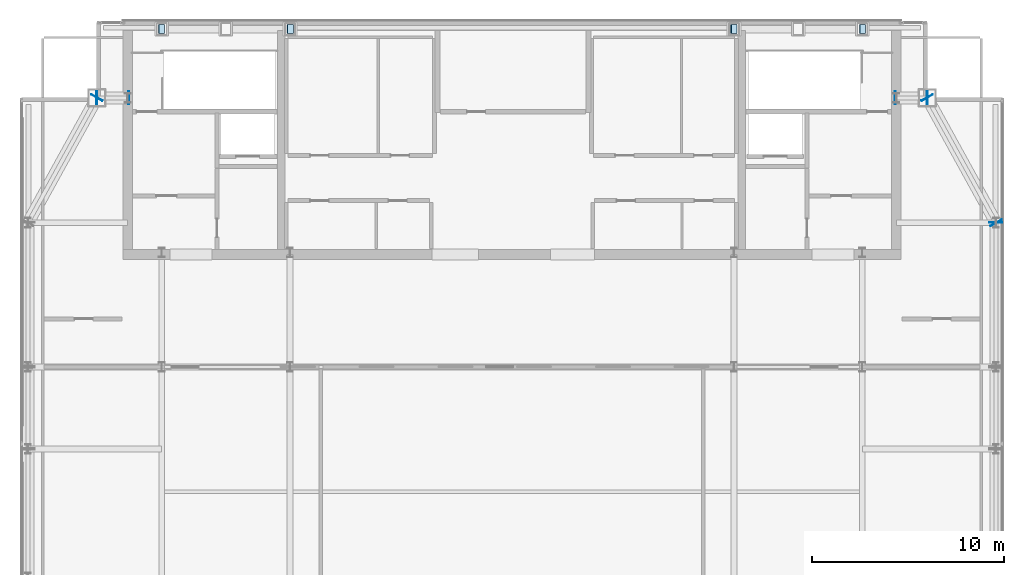
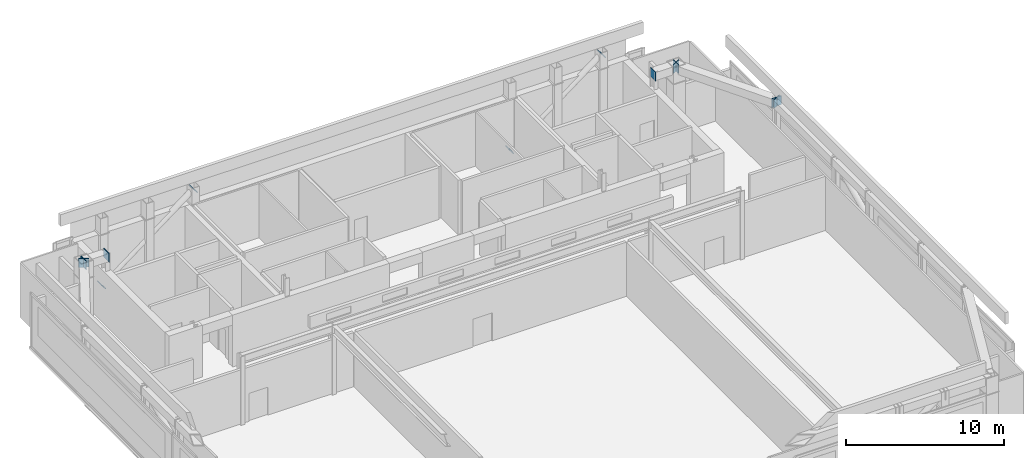
# One storey, part 20 of 24: 12 plates.
"""IFC4 building model written with IfcOpenShell, lengths in metres."""

import ifcopenshell
import ifcopenshell.guid

model = None  # the IFC model being written
_history = None  # IfcOwnerHistory: only IFC2X3 demands one
_inside = {}  # id of a spatial element -> (the spatial element, [elements in it])
_under = {}  # id of a project, library or spatial element -> (it, [spatial elements below it])
_declared = {}  # id of a project -> (the project, [libraries it declares])
_typed = {}  # id of a type object -> (the type object, [elements of that type])
_made_of = {}  # id of a material, layer set ... -> (it, [elements and type objects made of it])


def new_model(schema):
    """Start an empty IFC model of exactly this schema.

    Asked for "IFC4X3", IfcOpenShell would pick the latest addendum, in which some entities
    have other attributes; the version numbers below select the first issue.
    IFC2X3 requires an IfcOwnerHistory on every rooted entity: one is made here for all.
    """
    global model, _history
    if schema == "IFC4X3":
        model = ifcopenshell.file(schema_version=(4, 3, 0, 0))
    else:
        model = ifcopenshell.file(schema=schema)
    _inside.clear()
    _under.clear()
    _declared.clear()
    _typed.clear()
    _made_of.clear()
    _history = None
    if model.schema == "IFC2X3":
        org = make("IfcOrganization", Name="unknown")
        user = make(
            "IfcPersonAndOrganization",
            ThePerson=make("IfcPerson", FamilyName="unknown"),
            TheOrganization=org,
        )
        app = make(
            "IfcApplication",
            ApplicationDeveloper=org,
            Version="unknown",
            ApplicationFullName="unknown",
            ApplicationIdentifier="unknown",
        )
        _history = make(
            "IfcOwnerHistory",
            OwningUser=user,
            OwningApplication=app,
            ChangeAction="ADDED",
            CreationDate=0,
        )
    return model


def make(cls, **values):
    """One entity of the class cls with the attributes given. An attribute that is None is left unset."""
    return model.create_entity(
        cls, **{name: value for name, value in values.items() if value is not None}
    )


def rooted(cls, **values):
    """An entity with a GlobalId (a new one), such as an element, a storey or a relation."""
    return make(cls, GlobalId=ifcopenshell.guid.new(), OwnerHistory=_history, **values)


def si_unit(unit_type, name, prefix=None):
    """IfcSIUnit, for example si_unit("LENGTHUNIT", "METRE", prefix="MILLI")."""
    return make("IfcSIUnit", UnitType=unit_type, Prefix=prefix, Name=name)


def assignment(units):
    """IfcUnitAssignment: the units of a project."""
    return None if units is None else make("IfcUnitAssignment", Units=units)


def point(xyz):
    """IfcCartesianPoint."""
    return None if xyz is None else make("IfcCartesianPoint", Coordinates=xyz)


def direction(xyz):
    """IfcDirection."""
    return None if xyz is None else make("IfcDirection", DirectionRatios=xyz)


def frame(location, z_axis=None, x_axis=None):
    """IfcAxis2Placement3D, a coordinate frame: its origin and axes. An axis left out is left unset."""
    return make(
        "IfcAxis2Placement3D",
        Location=point(location),
        Axis=direction(z_axis),
        RefDirection=direction(x_axis),
    )


def frame_2d(location, x_axis=None):
    """IfcAxis2Placement2D, a coordinate frame in the plane: its origin and x axis."""
    return make(
        "IfcAxis2Placement2D", Location=point(location), RefDirection=direction(x_axis)
    )


def origin():
    """The frame at (0, 0, 0) with its axes left unset."""
    return frame((0.0, 0.0, 0.0))


def origin_2d():
    """The frame at (0, 0) in the plane with its x axis left unset."""
    return frame_2d((0.0, 0.0))


def place(relative_to, where):
    """IfcLocalPlacement: puts the frame where relative to a parent placement (None: the world)."""
    return make(
        "IfcLocalPlacement", PlacementRelTo=relative_to, RelativePlacement=where
    )


def context(
    kind, dimensions, precision=None, world=None, true_north=None, identifier=None
):
    """IfcGeometricRepresentationContext, for example the 3D "Model" context."""
    return make(
        "IfcGeometricRepresentationContext",
        ContextIdentifier=identifier,
        ContextType=kind,
        CoordinateSpaceDimension=dimensions,
        Precision=precision,
        WorldCoordinateSystem=world,
        TrueNorth=true_north,
    )


def subcontext(parent, identifier, kind, view, scale=None):
    """IfcGeometricRepresentationSubContext, for example "Body" below "Model"."""
    return make(
        "IfcGeometricRepresentationSubContext",
        ContextIdentifier=identifier,
        ContextType=kind,
        ParentContext=parent,
        TargetScale=scale,
        TargetView=view,
    )


def project(units=None, contexts=None):
    """IfcProject with its units and contexts."""
    return rooted(
        "IfcProject",
        Name="project",
        RepresentationContexts=contexts,
        UnitsInContext=assignment(units),
    )


def spatial(cls, under=None, at=None, **own):
    """A site, building, storey or space (cls), placed at a placement, below another one or the project."""
    s = rooted(cls, ObjectPlacement=at, **own)
    if under is not None:
        _under.setdefault(under.id(), (under, []))[1].append(s)
    return s


def polyline(points):
    """IfcPolyline through the points."""
    return make("IfcPolyline", Points=[point(p) for p in points])


def profile(cls, at=None, kind="AREA", **sizes):
    """A parametric profile (cls). Its sizes go by their IFC names, for example OverallWidth=200.0."""
    return make(cls, ProfileType=kind, Position=at, **sizes)


def rectangle(**sizes):
    """IfcRectangleProfileDef."""
    return profile("IfcRectangleProfileDef", **sizes)


def outline(outer, holes=None, kind="AREA"):
    """IfcArbitraryClosedProfileDef: a profile drawn as a closed curve; with holes, ...WithVoids."""
    if holes is None:
        return make("IfcArbitraryClosedProfileDef", ProfileType=kind, OuterCurve=outer)
    return make(
        "IfcArbitraryProfileDefWithVoids",
        ProfileType=kind,
        OuterCurve=outer,
        InnerCurves=holes,
    )


def extrude(swept, where, along, depth):
    """IfcExtrudedAreaSolid: the profile swept, set in the frame where, extruded along a direction by depth."""
    return make(
        "IfcExtrudedAreaSolid",
        SweptArea=swept,
        Position=where,
        ExtrudedDirection=direction(along),
        Depth=depth,
    )


def shape(context_of_items, identifier, shape_type, items):
    """IfcShapeRepresentation: the items that make up one representation, for example the "Body"."""
    return make(
        "IfcShapeRepresentation",
        ContextOfItems=context_of_items,
        RepresentationIdentifier=identifier,
        RepresentationType=shape_type,
        Items=items,
    )


def material(Name=None, Category=None):
    """IfcMaterial."""
    return make("IfcMaterial", Name=Name, Category=Category)


def layer(
    of_material, thickness, ventilated=None, Name=None, Category=None, Priority=None
):
    """IfcMaterialLayer: one layer of a wall or slab, of a material (None: an air gap)."""
    return make(
        "IfcMaterialLayer",
        Material=of_material,
        LayerThickness=thickness,
        IsVentilated=ventilated,
        Name=Name,
        Category=Category,
        Priority=Priority,
    )


def layer_set(layers, Name=None):
    """IfcMaterialLayerSet."""
    return make("IfcMaterialLayerSet", MaterialLayers=layers, LayerSetName=Name)


def made_of(thing, what):
    """Note that an element or type object is made of a material, layer set ...; save() writes the relation."""
    if what is not None:
        _made_of.setdefault(what.id(), (what, []))[1].append(thing)
    return thing


def type_object(cls, material=None, **own):
    """A type object (cls), such as IfcWallType, which elements share."""
    return made_of(rooted(cls, **own), material)


def element(
    cls,
    number,
    at=None,
    inside=None,
    cuts=None,
    type_object=None,
    material=None,
    context=None,
    identifier="Body",
    shape_type=None,
    held_by="IfcProductDefinitionShape",
    body=None,
    shapes=None,
    **own,
):
    """One element of the class cls, such as IfcWall. Its Tag is "e" and its number.

    at: its placement. inside: the storey or other place that contains it. cuts: it is an
    opening in that element (IfcRelVoidsElement). A single representation is given by context,
    identifier, shape_type and body (its items); several are given by shapes. held_by: the class
    of the entity that holds the representations. save() writes the other relations.
    """
    e = rooted(cls, Tag="e%d" % number, ObjectPlacement=at, **own)
    if body is not None:
        shapes = [shape(context, identifier, shape_type, body)]
    if shapes is not None:
        e.Representation = make(held_by, Representations=shapes)
    if inside is not None:
        _inside.setdefault(inside.id(), (inside, []))[1].append(e)
    if cuts is not None:
        rooted(
            "IfcRelVoidsElement", RelatingBuildingElement=cuts, RelatedOpeningElement=e
        )
    if type_object is not None:
        _typed.setdefault(type_object.id(), (type_object, []))[1].append(e)
    return made_of(e, material)


def aggregate(whole, parts):
    """IfcRelAggregates: a whole, such as a stair, and the parts it consists of."""
    return rooted("IfcRelAggregates", RelatingObject=whole, RelatedObjects=parts)


def save(model, path):
    """Write the relations noted so far, then the file.

    IfcRelAggregates (storeys below a building ...), IfcRelContainedInSpatialStructure (elements
    in a storey), IfcRelDefinesByType, IfcRelAssociatesMaterial and IfcRelDeclares: one each for
    every whole, place, type object, material and project.
    """
    for whole, parts in _under.values():
        aggregate(whole, parts)
    for where, things in _inside.values():
        rooted(
            "IfcRelContainedInSpatialStructure",
            RelatedElements=things,
            RelatingStructure=where,
        )
    for kind, things in _typed.values():
        rooted("IfcRelDefinesByType", RelatedObjects=things, RelatingType=kind)
    for what, things in _made_of.values():
        rooted("IfcRelAssociatesMaterial", RelatedObjects=things, RelatingMaterial=what)
    for by, libraries in _declared.values():
        rooted("IfcRelDeclares", RelatingContext=by, RelatedDefinitions=libraries)
    model.write(path)


model = new_model("IFC4")

# Units and contexts
model_context = context("Model", 3, precision=1e-05, world=origin(), true_north=direction((0.0, 1.0)))
body_context = subcontext(model_context, "Body", "Model", "MODEL_VIEW")
ifc_project = project(units=[si_unit("LENGTHUNIT", "METRE"), si_unit("AREAUNIT", "SQUARE_METRE"), si_unit("VOLUMEUNIT", "CUBIC_METRE"), si_unit("PLANEANGLEUNIT", "RADIAN"), si_unit("MASSUNIT", "GRAM", prefix="KILO")], contexts=[model_context])

# Site, building, storey
site_placement = place(None, origin())
site = spatial("IfcSite", under=ifc_project, at=site_placement, CompositionType="ELEMENT")
building_placement = place(site_placement, origin())
building = spatial("IfcBuilding", under=site, at=building_placement, Name="Khoronbel Lancet Exchange", CompositionType="ELEMENT")
storey_placement = place(building_placement, frame((0.0, 0.0, 378.60009765625)))
storey = spatial("IfcBuildingStorey", under=building, at=storey_placement, Name="L96", CompositionType="ELEMENT", Elevation=378.60009765625)

# Plates
ifc_material = material(Name="Steel S460", Category="steel")
ifc_layer = layer(ifc_material, 0.044921875, Name="Steel S460")
ifc_layer_set = layer_set([ifc_layer], Name="Steel S460")
plate_type = type_object("IfcPlateType", Name="PLT-ECP1", PredefinedType="USERDEFINED", material=ifc_layer_set)
for number, where, z_axis, x_axis, name in (
    (1, (61.6298828125, 43.2099609375, 4.7099609375), (0.0, 0.0, 1.0), (0.0, 1.0, 0.0), "Hollow end cap plate PLT-CAP-BM-L96-CROWN-RB12-1"),
    (2, (61.634765625, 43.191162109375, 4.7099609375), (0.0, 0.0, 1.0), (0.482435973469, -0.875931236744, 0.0), "Hollow end cap plate PLT-CAP-BM-L96-CROWN-RB13-0"),
    (3, (58.045166015625, 49.708740234375, 4.7099609375), (0.0, 0.0, 1.0), (-0.482435973469, 0.875931236744, 0.0), "Hollow end cap plate PLT-CAP-BM-L96-CROWN-RB13-1"),
    (4, (58.06005859375, 49.699951171875, 4.7099609375), (0.0, 0.0, 1.0), (1.0, 0.0, 0.0), "Hollow end cap plate PLT-CAP-BM-L96-CROWN-RB14-0"),
    (5, (56.389892578125, 49.699951171875, 4.7099609375), (0.0, 0.0, 1.0), (-1.0, 0.0, 0.0), "Hollow end cap plate PLT-CAP-BM-L96-CROWN-RB14-1"),
    (6, (16.510009765625, 49.699951171875, 4.7099609375), (0.0, 0.0, 1.0), (1.0, 0.0, 0.0), "Hollow end cap plate PLT-CAP-BM-L96-CROWN-RB15-0"),
    (7, (14.840087890625, 49.699951171875, 4.7099609375), (0.0, 0.0, 1.0), (-1.0, 0.0, 0.0), "Hollow end cap plate PLT-CAP-BM-L96-CROWN-RB15-1"),
    (8, (14.854736328125, 49.708740234375, 4.7099609375), (0.0, 0.0, 1.0), (0.482435973469, 0.875931236744, 0.0), "Hollow end cap plate PLT-CAP-BM-L96-CROWN-RB16-0"),
):
    element("IfcPlate", number, at=place(storey_placement, frame(where, z_axis=z_axis, x_axis=x_axis)), inside=storey, type_object=plate_type, Name=name, ObjectType="STIFFENER_PLATE", PredefinedType="USERDEFINED", context=body_context, shape_type="SweptSolid", body=[
        extrude(rectangle(XDim=0.044921875, YDim=0.679931640625, at=origin_2d()), origin(), (0.0, 0.0, 1.0), 0.679931640625),
    ])
for number, where, z_axis, x_axis, name in (
    (9, (18.37939453125, 53.0400390625, -0.184326171875), (0.797551891423, 0.0, 0.603250346446), (0.0, 1.0, 0.0), "Hollow end cap plate PLT-CAP-MEM-L96-CROWN-BR-N1-0"),
    (10, (25.071044921875, 53.0400390625, 4.87841796875), (0.797551891423, 0.0, 0.603250346446), (0.0, 1.0, 0.0), "Hollow end cap plate PLT-CAP-MEM-L96-CROWN-BR-N1-1"),
    (11, (48.154296875, 53.0400390625, -0.184326171875), (0.797551891423, 0.0, 0.603250346446), (0.0, 1.0, 0.0), "Hollow end cap plate PLT-CAP-MEM-L96-CROWN-BR-N2-0"),
    (12, (54.84619140625, 53.0400390625, 4.87841796875), (0.797551891423, 0.0, 0.603250346446), (0.0, 1.0, 0.0), "Hollow end cap plate PLT-CAP-MEM-L96-CROWN-BR-N2-1"),
):
    element("IfcPlate", number, at=place(storey_placement, frame(where, z_axis=z_axis, x_axis=x_axis)), inside=storey, type_object=plate_type, Name=name, ObjectType="STIFFENER_PLATE", PredefinedType="USERDEFINED", context=body_context, shape_type="SweptSolid", body=[
        extrude(outline(polyline([(0.0, 0.0), (0.47998046875, 0.0), (0.47998046875, 0.47998046875), (0.0, 0.47998046875), (0.0, 0.0)])), origin(), (0.0, 0.0, -1.0), 0.044921875),
    ])

save(model, "model.ifc")
